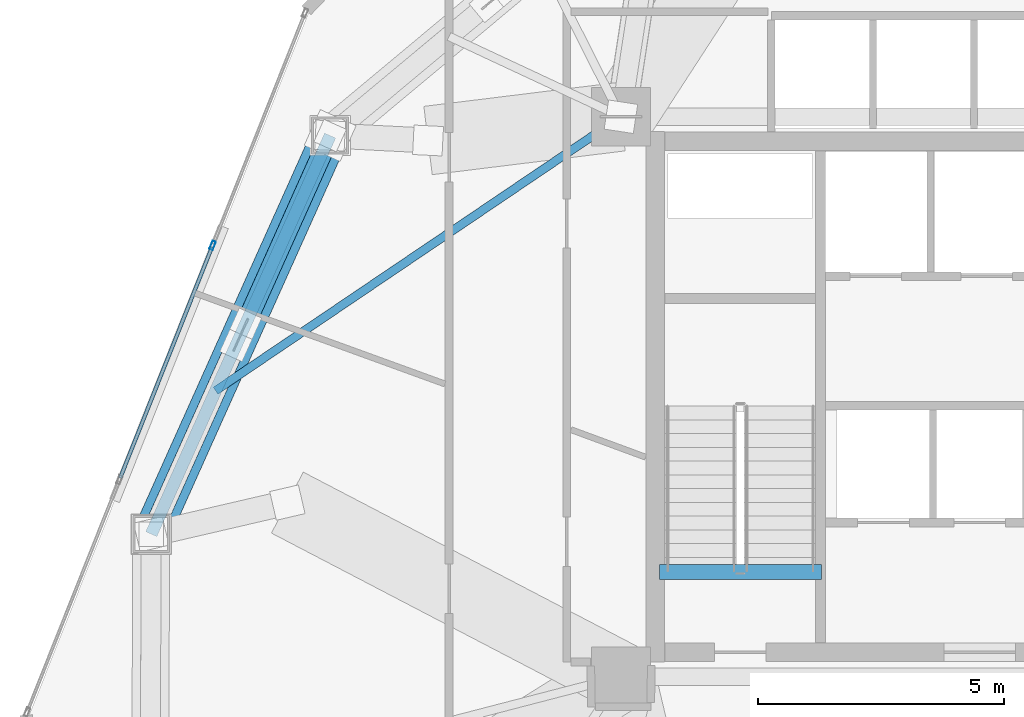
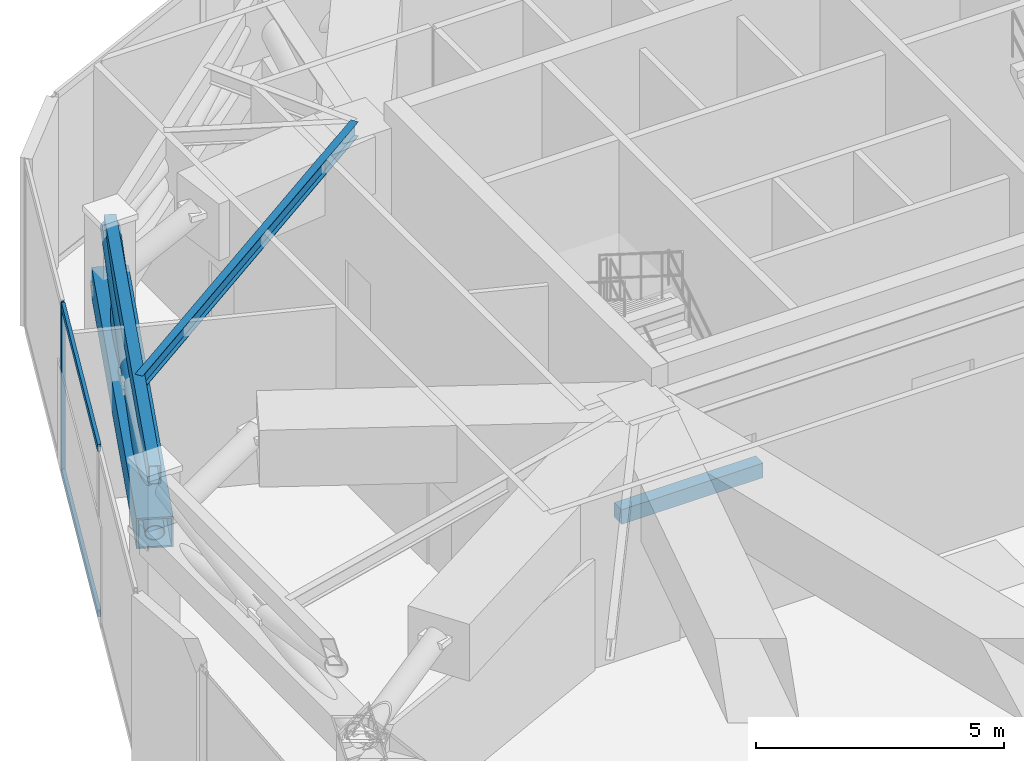
# One storey, part 8 of 21: 6 members, 3 beams, 1 element without a shape of its own.
"""IFC4 building model written with IfcOpenShell, lengths in metres."""

from ifc_helpers import new_model, si_unit, direction, frame, origin, origin_2d, place, context, subcontext, project, spatial, rectangle, hollow_rectangle, hollow_circle, i_section, extrude, source, transform, mapped, material, layer, layer_set, material_profile, profile_set, type_object, type_shapes, element, aggregate, save


model = new_model("IFC4")

# Units and contexts
model_context = context("Model", 3, precision=1e-05, world=origin(), true_north=direction((0.0, 1.0)))
body_context = subcontext(model_context, "Body", "Model", "MODEL_VIEW")
ifc_project = project(units=[si_unit("LENGTHUNIT", "METRE"), si_unit("AREAUNIT", "SQUARE_METRE"), si_unit("VOLUMEUNIT", "CUBIC_METRE"), si_unit("PLANEANGLEUNIT", "RADIAN"), si_unit("MASSUNIT", "GRAM", prefix="KILO")], contexts=[model_context])

# Site, building, storey
site_placement = place(None, origin())
site = spatial("IfcSite", under=ifc_project, at=site_placement, CompositionType="ELEMENT")
building_placement = place(site_placement, origin())
building = spatial("IfcBuilding", under=site, at=building_placement, Name="Talar Marvaseh", CompositionType="ELEMENT")
storey_placement = place(building_placement, frame((0.0, 0.0, 162.39990234375)))
storey = spatial("IfcBuildingStorey", under=building, at=storey_placement, Name="L42", CompositionType="ELEMENT", Elevation=162.39990234375)

# Beams
ifc_material_1 = material(Name="Concrete C40/50", Category="concrete")
ifc_material_profile_1 = material_profile(ifc_material_1, rectangle(XDim=0.300048828125, YDim=0.360107421875, at=origin_2d()), Name="RC300x360")
ifc_profile_set_1 = profile_set([ifc_material_profile_1], Name="Concrete C40/50")
beam_type_1 = type_object("IfcBeamType", Name="Concrete Stair Landing Trimmer Beam RC300x360", PredefinedType="SPANDREL", material=ifc_profile_set_1)
beam_1_placement = place(storey_placement, frame((22.780029296875, 27.6298828125, -0.179931640625), z_axis=(-1.0, 0.0, 0.0), x_axis=(0.0, -1.0, 0.0)))
element("IfcBeam", 1, at=beam_1_placement, inside=storey, type_object=beam_type_1, Name="L42 ST-1 Stair Nosing Trimmer Beam", PredefinedType="SPANDREL", context=body_context, shape_type="SweptSolid", body=[
    extrude(rectangle(XDim=0.300048828125, YDim=0.360107421875, at=origin_2d()), origin(), (0.0, 0.0, 1.0), 3.300048828125),
])
ifc_material_2 = material(Name="Steel S355", Category="steel")
ifc_material_profile_2 = material_profile(ifc_material_2, hollow_rectangle(XDim=0.25, YDim=0.449951171875, WallThickness=0.01611328125, at=origin_2d()), Name="RHS450x250x16")
ifc_profile_set_2 = profile_set([ifc_material_profile_2], Name="Steel S355")
beam_type_2 = type_object("IfcBeamType", Name="Zone 2 Perimeter Spandrel Beam RHS450x250x16", PredefinedType="SPANDREL", material=ifc_profile_set_2)
beam_2_placement = place(storey_placement, frame((9.137939453125, 28.402099609375, 3.925048828125), z_axis=(0.409461733275, 0.912327292688, 0.0), x_axis=(-0.912327292688, 0.409461733275, 0.0)))
element("IfcBeam", 2, at=beam_2_placement, inside=storey, type_object=beam_type_2, Name="L42 Zone 2 Perimeter Spandrel Beam RHS450x250x16", PredefinedType="SPANDREL", context=body_context, shape_type="SweptSolid", body=[
    extrude(hollow_rectangle(XDim=0.25, YDim=0.449951171875, WallThickness=0.01611328125, at=origin_2d()), origin(), (0.0, 0.0, 1.0), 8.894775390625),
])
ifc_material_profile_3 = material_profile(ifc_material_2, i_section(OverallWidth=0.172119140625, OverallDepth=0.35791015625, WebThickness=0.0078125, FlangeThickness=0.01318359375, at=origin_2d()), Name="W360x57")
ifc_profile_set_3 = profile_set([ifc_material_profile_3], Name="Steel S355")
beam_type_3 = type_object("IfcBeamType", Name="Zone 2 Secondary Floor Joist W360x57", PredefinedType="JOIST", material=ifc_profile_set_3)
beam_3_placement = place(storey_placement, frame((10.44921875, 31.323486328125, 3.97119140625), z_axis=(0.828514577653, 0.55996749425, 0.0), x_axis=(-0.55996749425, 0.828514577653, 0.0)))
element("IfcBeam", 3, at=beam_3_placement, inside=storey, type_object=beam_type_3, Name="L42 Zone 2 Secondary Floor Joist W360x57", PredefinedType="JOIST", context=body_context, shape_type="SweptSolid", body=[
    extrude(i_section(OverallWidth=0.172119140625, OverallDepth=0.35791015625, WebThickness=0.0078125, FlangeThickness=0.01318359375, at=origin_2d()), origin(), (0.0, 0.0, 1.0), 9.95849609375),
])

# Members
ifc_material_3 = material(Name="Steel S460", Category="steel")
ifc_material_profile_4 = material_profile(ifc_material_3, hollow_rectangle(XDim=0.75, YDim=0.75, WallThickness=0.0400390625, at=origin_2d()), Name="BOX750x750x40")
ifc_profile_set_4 = profile_set([ifc_material_profile_4], Name="Steel S460")
member_type_1 = type_object("IfcMemberType", Name="Belt Truss Chord Member BOX750x750x40", PredefinedType="CHORD", material=ifc_profile_set_4)
shared_shape_1 = source(origin(), body_context, "Body", "SweptSolid", [
    extrude(hollow_rectangle(XDim=0.75, YDim=0.75, WallThickness=0.0400390625, at=origin_2d()), origin(), (0.0, 0.0, 1.0), 8.894775390625),
])
type_shapes(member_type_1, [shared_shape_1])
member_1_placement = place(storey_placement, frame((9.137939453125, 28.402099609375, 2.5), z_axis=(0.409461733275, 0.912327292688, 0.0), x_axis=(-0.912327292688, 0.409461733275, 0.0)))
element("IfcMember", 4, at=member_1_placement, inside=storey, type_object=member_type_1, Name="L42 Belt Truss Bottom Chord 9", PredefinedType="CHORD", context=body_context, shape_type="MappedRepresentation", body=[
    mapped(shared_shape_1, transform((0.0, 0.0, 0.0), x_axis=(1.0, 0.0, 0.0), y_axis=(0.0, 1.0, 0.0), z_axis=(0.0, 0.0, 1.0), scale=1.0)),
])
ifc_material_profile_5 = material_profile(ifc_material_3, hollow_circle(Radius=0.203125, WallThickness=0.01611328125, at=origin_2d()), Name="CHS406x16")
ifc_profile_set_5 = profile_set([ifc_material_profile_5], Name="Steel S460")
member_type_2 = type_object("IfcMemberType", Name="Belt Truss Diagonal Brace CHS406x16", PredefinedType="BRACE", material=ifc_profile_set_5)
shared_shape_2 = source(origin(), body_context, "Body", "SweptSolid", [
    extrude(hollow_circle(Radius=0.203125, WallThickness=0.01611328125, at=origin_2d()), origin(), (0.0, 0.0, 1.0), 8.99658203125),
])
member_2_placement = place(storey_placement, frame((9.137939453125, 28.402099609375, 2.5), z_axis=(0.404824990828, 0.901996103375, 0.150065839877), x_axis=(-0.912327292688, 0.409461733275, 0.0)))
element("IfcMember", 5, at=member_2_placement, inside=storey, type_object=member_type_2, Name="L42 Belt Truss Continuous Diagonal 9", PredefinedType="BRACE", context=body_context, shape_type="MappedRepresentation", body=[
    mapped(shared_shape_2, transform((0.0, 0.0, 0.0), x_axis=(1.0, 0.0, 0.0), y_axis=(0.0, 1.0, 0.0), z_axis=(0.0, 0.0, 1.0), scale=1.0)),
])
shared_shape_3 = source(origin(), body_context, "Body", "SweptSolid", [
    extrude(hollow_circle(Radius=0.203125, WallThickness=0.01611328125, at=origin_2d()), origin(), (0.0, 0.0, 1.0), 4.25830078125),
])
type_shapes(member_type_2, [shared_shape_2, shared_shape_3])
member_3_placement = place(storey_placement, frame((12.780029296875, 36.51708984375, 2.5), z_axis=(-0.404817069012, -0.901995035656, 0.150093625078), x_axis=(0.912330104809, -0.409455467492, 0.0)))
element("IfcMember", 6, at=member_3_placement, inside=storey, type_object=member_type_2, Name="L42 Belt Truss Split Diagonal Lower 9", PredefinedType="BRACE", context=body_context, shape_type="MappedRepresentation", body=[
    mapped(shared_shape_3, transform((0.0, 0.0, 0.0), x_axis=(1.0, 0.0, 0.0), y_axis=(0.0, 1.0, 0.0), z_axis=(0.0, 0.0, 1.0), scale=1.0)),
])

# Curtain wall, members
ifc_material_4 = material(Name="Architectural Aluminium", Category="aluminium")
ifc_layer = layer(ifc_material_4, 0.199951171875)
ifc_layer_set = layer_set([ifc_layer], Name="Architectural Aluminium")
curtain_wall_type = type_object("IfcCurtainWallType", Name="Unitised Acoustic Library Curtain Wall Z2", PredefinedType="NOTDEFINED", material=ifc_layer_set)
curtain_wall_placement = place(storey_placement, origin())
curtain_wall = element("IfcCurtainWall", 7, at=curtain_wall_placement, inside=storey, type_object=curtain_wall_type, Name="L42 Unitised Acoustic Library Curtain Wall Z2", PredefinedType="NOTDEFINED")
ifc_material_profile_6 = material_profile(ifc_material_4, hollow_rectangle(XDim=0.074951171875, YDim=0.179931640625, WallThickness=0.0048828125, at=origin_2d()), Name="RHS180x75x5")
ifc_profile_set_6 = profile_set([ifc_material_profile_6], Name="Architectural Aluminium")
member_type_3 = type_object("IfcMemberType", Name="Unitised Curtain Wall Transom RHS180x75x5", PredefinedType="USERDEFINED", material=ifc_profile_set_6)
shared_shape_4 = source(origin(), body_context, "Body", "SweptSolid", [
    extrude(hollow_rectangle(XDim=0.074951171875, YDim=0.179931640625, WallThickness=0.0048828125, at=origin_2d()), origin(), (0.0, 0.0, 1.0), 5.05517578125),
])
type_shapes(member_type_3, [shared_shape_4])
member_4_placement = place(storey_placement, frame((8.506103515625, 29.546630859375, 0.03759765625), z_axis=(0.369458065603, 0.929247403957, 0.0), x_axis=(-0.929247403957, 0.369458065603, 0.0)))
member_4 = element("IfcMember", 8, at=member_4_placement, type_object=member_type_3, Name="CW-Z2 transom 2.1", ObjectType="TRANSOM", PredefinedType="USERDEFINED", context=body_context, shape_type="MappedRepresentation", body=[
    mapped(shared_shape_4, transform((0.0, 0.0, 0.0), x_axis=(1.0, 0.0, 0.0), y_axis=(0.0, 1.0, 0.0), z_axis=(0.0, 0.0, 1.0), scale=1.0)),
])
member_5_placement = place(storey_placement, frame((8.506103515625, 29.546630859375, 4.112548828125), z_axis=(0.369458065603, 0.929247403957, 0.0), x_axis=(-0.929247403957, 0.369458065603, 0.0)))
member_5 = element("IfcMember", 9, at=member_5_placement, type_object=member_type_3, Name="CW-Z2 transom 2.2", ObjectType="TRANSOM", PredefinedType="USERDEFINED", context=body_context, shape_type="MappedRepresentation", body=[
    mapped(shared_shape_4, transform((0.0, 0.0, 0.0), x_axis=(1.0, 0.0, 0.0), y_axis=(0.0, 1.0, 0.0), z_axis=(0.0, 0.0, 1.0), scale=1.0)),
])
ifc_material_profile_7 = material_profile(ifc_material_4, hollow_rectangle(XDim=0.074951171875, YDim=0.179931640625, WallThickness=0.0048828125, at=origin_2d()), Name="RHS180x75x5")
ifc_profile_set_7 = profile_set([ifc_material_profile_7], Name="Architectural Aluminium")
member_type_4 = type_object("IfcMemberType", Name="Unitised Curtain Wall Standard Mullion RHS180x75x5", PredefinedType="MULLION", material=ifc_profile_set_7)
shared_shape_5 = source(origin(), body_context, "Body", "SweptSolid", [
    extrude(hollow_rectangle(XDim=0.074951171875, YDim=0.179931640625, WallThickness=0.0048828125, at=origin_2d()), origin(), (0.0, 0.0, 1.0), 4.150146484375),
])
type_shapes(member_type_4, [shared_shape_5])
member_6_placement = place(storey_placement, frame((10.3876953125, 34.279052734375, 0.0), z_axis=(0.0, 0.0, 1.0), x_axis=(-0.929247234688, 0.369458491342, 0.0)))
member_6 = element("IfcMember", 10, at=member_6_placement, type_object=member_type_4, Name="CW-Z2 mullion 3", PredefinedType="MULLION", context=body_context, shape_type="MappedRepresentation", body=[
    mapped(shared_shape_5, transform((0.0, 0.0, 0.0), x_axis=(1.0, 0.0, 0.0), y_axis=(0.0, 1.0, 0.0), z_axis=(0.0, 0.0, 1.0), scale=1.0)),
])
aggregate(curtain_wall, [member_6, member_4, member_5])

save(model, "model.ifc")
